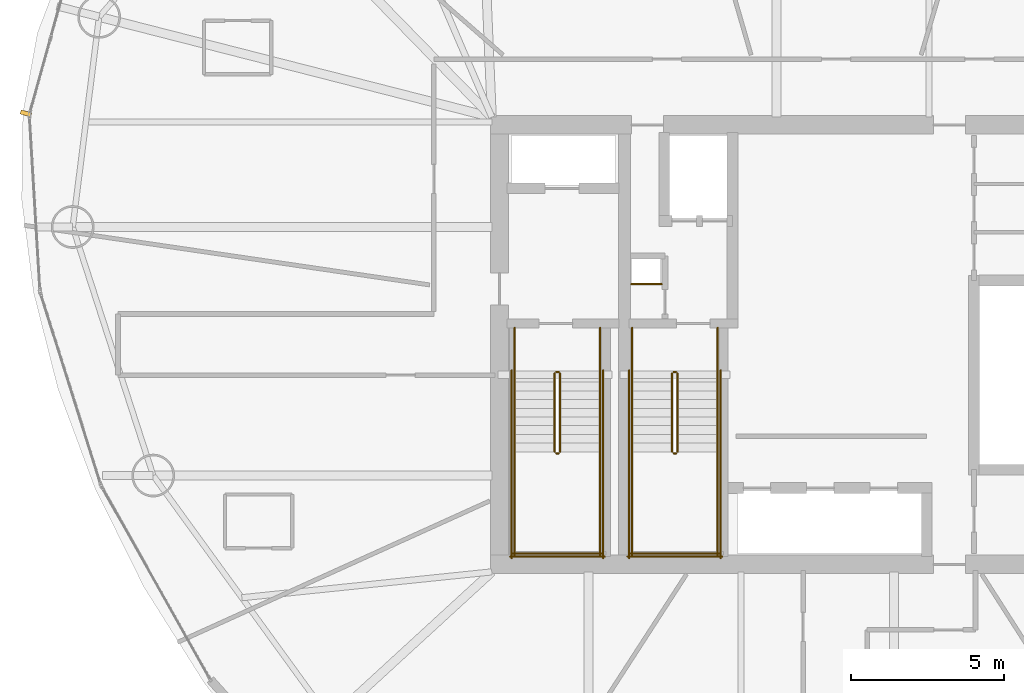
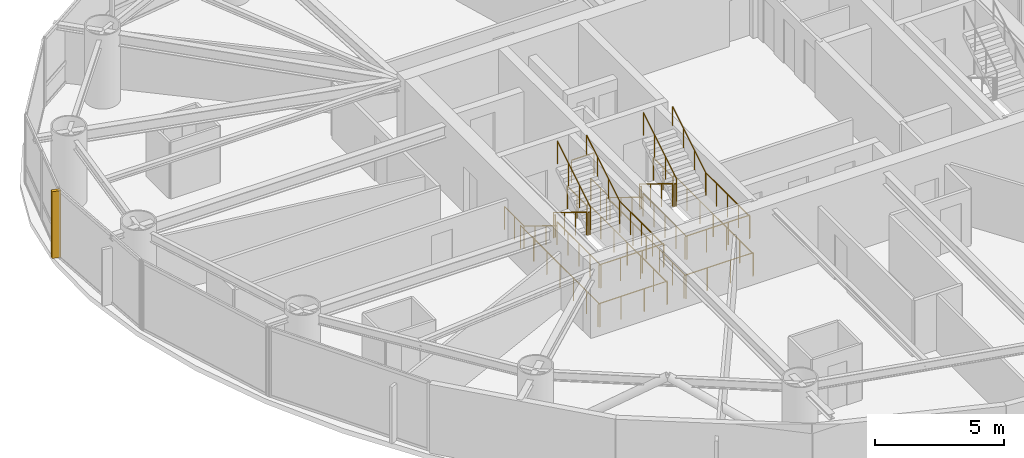
# One storey, part 20 of 22: 29 railings, 1 shading device.
"""IFC4 building model written with IfcOpenShell, lengths in metres."""

from ifc_helpers import new_model, si_unit, direction, frame, origin, origin_2d, place, context, subcontext, project, spatial, rectangle, circle, extrude, material, type_object, element, save


model = new_model("IFC4")

# Units and contexts
model_context = context("Model", 3, precision=1e-05, world=origin(), true_north=direction((0.0, 1.0)))
body_context = subcontext(model_context, "Body", "Model", "MODEL_VIEW")
ifc_project = project(units=[si_unit("LENGTHUNIT", "METRE"), si_unit("AREAUNIT", "SQUARE_METRE"), si_unit("VOLUMEUNIT", "CUBIC_METRE"), si_unit("PLANEANGLEUNIT", "RADIAN"), si_unit("MASSUNIT", "GRAM", prefix="KILO")], contexts=[model_context])

# Site, building, storey
site_placement = place(None, origin())
site = spatial("IfcSite", under=ifc_project, at=site_placement, CompositionType="ELEMENT")
building_placement = place(site_placement, origin())
building = spatial("IfcBuilding", under=site, at=building_placement, Name="Bramvorn Convention Spire", CompositionType="ELEMENT")
storey_placement = place(building_placement, frame((0.0, 0.0, 137.800048828125)))
storey = spatial("IfcBuildingStorey", under=building, at=storey_placement, Name="L34", CompositionType="ELEMENT", Elevation=137.800048828125)

# Railings
ifc_material_1 = material(Name="Painted Steel Balustrade & Guardrail", Category="steel")
railing_type_1 = type_object("IfcRailingType", Name="RL-STAIR-GUARD-1100", PredefinedType="GUARDRAIL", material=ifc_material_1)
railing_1_placement = place(storey_placement, frame((28.81005859375, 25.050048828125, 0.175048828125)))
element("IfcRailing", 1, at=railing_1_placement, inside=storey, type_object=railing_type_1, Name="L34 ST1 stair guard 1", PredefinedType="GUARDRAIL", context=body_context, shape_type="SweptSolid", body=[
    extrude(circle(Radius=0.02392578125, at=origin_2d()), frame((0.0, 0.0, 1.076171875), z_axis=(0.0, -0.852173129349, 0.523259933127), x_axis=(1.0, 0.0, 0.0)), (0.0, 0.0, 1.0), 3.009765625),
    extrude(circle(Radius=0.02099609375, at=origin_2d()), origin(), (0.0, 0.0, 1.0), 1.052001953125),
    extrude(circle(Radius=0.02099609375, at=origin_2d()), frame((0.0, -0.85498046875, 0.52490234375)), (0.0, 0.0, 1.0), 1.052001953125),
    extrude(circle(Radius=0.02099609375, at=origin_2d()), frame((0.0, -1.7099609375, 1.050048828125)), (0.0, 0.0, 1.0), 1.052001953125),
    extrude(circle(Radius=0.02099609375, at=origin_2d()), frame((0.0, -2.56494140625, 1.574951171875)), (0.0, 0.0, 1.0), 1.052001953125),
])
railing_2_placement = place(storey_placement, frame((28.860107421875, 22.43505859375, 1.75)))
element("IfcRailing", 2, at=railing_2_placement, inside=storey, type_object=railing_type_1, Name="L34 ST1 stair guard 2", PredefinedType="GUARDRAIL", context=body_context, shape_type="SweptSolid", body=[
    extrude(circle(Radius=0.02392578125, at=origin_2d()), frame((0.0, 0.0, 1.076171875), z_axis=(1.0, 0.0, 0.0), x_axis=(0.0, 1.0, 0.0)), (0.0, 0.0, 1.0), 0.079833984375),
    extrude(circle(Radius=0.02099609375, at=origin_2d()), origin(), (0.0, 0.0, 1.0), 1.052001953125),
    extrude(circle(Radius=0.02099609375, at=origin_2d()), frame((0.079833984375, 0.0, 0.0)), (0.0, 0.0, 1.0), 1.052001953125),
])
for number, where, name in (
    (3, (27.5, 22.485107421875, 1.75), "L34 ST1 stair guard 3"),
    (4, (30.300048828125, 22.485107421875, 1.75), "L34 ST1 stair guard 4"),
):
    element("IfcRailing", number, at=place(storey_placement, frame(where)), inside=storey, type_object=railing_type_1, Name=name, PredefinedType="GUARDRAIL", context=body_context, shape_type="SweptSolid", body=[
        extrude(circle(Radius=0.02392578125, at=origin_2d()), frame((0.0, 0.0, 1.076171875), z_axis=(0.0, -1.0, 0.0), x_axis=(1.0, 0.0, 0.0)), (0.0, 0.0, 1.0), 3.385009765625),
        extrude(circle(Radius=0.02099609375, at=origin_2d()), origin(), (0.0, 0.0, 1.0), 1.052001953125),
        extrude(circle(Radius=0.02099609375, at=origin_2d()), frame((0.0, -0.84619140625, 0.0)), (0.0, 0.0, 1.0), 1.052001953125),
        extrude(circle(Radius=0.02099609375, at=origin_2d()), frame((0.0, -1.6923828125, 0.0)), (0.0, 0.0, 1.0), 1.052001953125),
        extrude(circle(Radius=0.02099609375, at=origin_2d()), frame((0.0, -2.538818359375, 0.0)), (0.0, 0.0, 1.0), 1.052001953125),
        extrude(circle(Radius=0.02099609375, at=origin_2d()), frame((0.0, -3.385009765625, 0.0)), (0.0, 0.0, 1.0), 1.052001953125),
    ])
railing_3_placement = place(storey_placement, frame((27.449951171875, 19.14990234375, 1.75)))
element("IfcRailing", 5, at=railing_3_placement, inside=storey, type_object=railing_type_1, Name="L34 ST1 stair guard 5", PredefinedType="GUARDRAIL", context=body_context, shape_type="SweptSolid", body=[
    extrude(circle(Radius=0.02392578125, at=origin_2d()), frame((0.0, 0.0, 1.076171875), z_axis=(1.0, 0.0, 0.0), x_axis=(0.0, 1.0, 0.0)), (0.0, 0.0, 1.0), 2.900146484375),
    extrude(circle(Radius=0.02099609375, at=origin_2d()), origin(), (0.0, 0.0, 1.0), 1.052001953125),
    extrude(circle(Radius=0.02099609375, at=origin_2d()), frame((0.966796875, 0.0, 0.0)), (0.0, 0.0, 1.0), 1.052001953125),
    extrude(circle(Radius=0.02099609375, at=origin_2d()), frame((1.933349609375, 0.0, 0.0)), (0.0, 0.0, 1.0), 1.052001953125),
    extrude(circle(Radius=0.02099609375, at=origin_2d()), frame((2.900146484375, 0.0, 0.0)), (0.0, 0.0, 1.0), 1.052001953125),
])
railing_4_placement = place(storey_placement, frame((28.989990234375, 22.485107421875, 1.925048828125)))
element("IfcRailing", 6, at=railing_4_placement, inside=storey, type_object=railing_type_1, Name="L34 ST1 stair guard 6", PredefinedType="GUARDRAIL", context=body_context, shape_type="SweptSolid", body=[
    extrude(circle(Radius=0.02392578125, at=origin_2d()), frame((0.0, 0.0, 1.076171875), z_axis=(0.0, 0.852173129349, 0.523259933127), x_axis=(-1.0, 0.0, 0.0)), (0.0, 0.0, 1.0), 3.009765625),
    extrude(circle(Radius=0.02099609375, at=origin_2d()), origin(), (0.0, 0.0, 1.0), 1.052001953125),
    extrude(circle(Radius=0.02099609375, at=origin_2d()), frame((0.0, 0.85498046875, 0.52490234375)), (0.0, 0.0, 1.0), 1.052001953125),
    extrude(circle(Radius=0.02099609375, at=origin_2d()), frame((0.0, 1.7099609375, 1.050048828125)), (0.0, 0.0, 1.0), 1.052001953125),
    extrude(circle(Radius=0.02099609375, at=origin_2d()), frame((0.0, 2.56494140625, 1.574951171875)), (0.0, 0.0, 1.0), 1.052001953125),
])
railing_5_placement = place(storey_placement, frame((28.860107421875, 25.10009765625, 0.0)))
element("IfcRailing", 7, at=railing_5_placement, inside=storey, type_object=railing_type_1, Name="L34 ST1 stair guard 7", PredefinedType="GUARDRAIL", context=body_context, shape_type="SweptSolid", body=[
    extrude(circle(Radius=0.02392578125, at=origin_2d()), frame((0.0, 0.0, 1.076171875), z_axis=(1.0, 0.0, 0.0), x_axis=(0.0, 1.0, 0.0)), (0.0, 0.0, 1.0), 0.079833984375),
    extrude(circle(Radius=0.02099609375, at=origin_2d()), origin(), (0.0, 0.0, 1.0), 1.052001953125),
    extrude(circle(Radius=0.02099609375, at=origin_2d()), frame((0.079833984375, 0.0, 0.0)), (0.0, 0.0, 1.0), 1.052001953125),
])
for number, where, name in (
    (8, (27.5, 26.550048828125, 0.0), "L34 ST1 stair guard 8"),
    (9, (30.300048828125, 26.550048828125, 0.0), "L34 ST1 stair guard 9"),
):
    element("IfcRailing", number, at=place(storey_placement, frame(where)), inside=storey, type_object=railing_type_1, Name=name, PredefinedType="GUARDRAIL", context=body_context, shape_type="SweptSolid", body=[
        extrude(circle(Radius=0.02392578125, at=origin_2d()), frame((0.0, 0.0, 1.076171875), z_axis=(0.0, -1.0, 0.0), x_axis=(1.0, 0.0, 0.0)), (0.0, 0.0, 1.0), 1.5),
        extrude(circle(Radius=0.02099609375, at=origin_2d()), origin(), (0.0, 0.0, 1.0), 1.052001953125),
        extrude(circle(Radius=0.02099609375, at=origin_2d()), frame((0.0, -0.75, 0.0)), (0.0, 0.0, 1.0), 1.052001953125),
        extrude(circle(Radius=0.02099609375, at=origin_2d()), frame((0.0, -1.5, 0.0)), (0.0, 0.0, 1.0), 1.052001953125),
    ])
for number, where, name in (
    (10, (27.39990234375, 25.14990234375, 0.0), "L34 ST1 stair guard 10"),
    (11, (30.39990234375, 25.14990234375, 0.0), "L34 ST1 stair guard 11"),
):
    element("IfcRailing", number, at=place(storey_placement, frame(where)), inside=storey, type_object=railing_type_1, Name=name, PredefinedType="GUARDRAIL", context=body_context, shape_type="SweptSolid", body=[
        extrude(circle(Radius=0.02392578125, at=origin_2d()), frame((0.0, 0.0, 1.076171875), z_axis=(0.0, -1.0, 0.0), x_axis=(1.0, 0.0, 0.0)), (0.0, 0.0, 1.0), 6.14990234375),
        extrude(circle(Radius=0.02099609375, at=origin_2d()), origin(), (0.0, 0.0, 1.0), 1.052001953125),
        extrude(circle(Radius=0.02099609375, at=origin_2d()), frame((0.0, -1.02490234375, 0.0)), (0.0, 0.0, 1.0), 1.052001953125),
        extrude(circle(Radius=0.02099609375, at=origin_2d()), frame((0.0, -2.050048828125, 0.0)), (0.0, 0.0, 1.0), 1.052001953125),
        extrude(circle(Radius=0.02099609375, at=origin_2d()), frame((0.0, -3.074951171875, 0.0)), (0.0, 0.0, 1.0), 1.052001953125),
        extrude(circle(Radius=0.02099609375, at=origin_2d()), frame((0.0, -4.099853515625, 0.0)), (0.0, 0.0, 1.0), 1.052001953125),
        extrude(circle(Radius=0.02099609375, at=origin_2d()), frame((0.0, -5.125, 0.0)), (0.0, 0.0, 1.0), 1.052001953125),
        extrude(circle(Radius=0.02099609375, at=origin_2d()), frame((0.0, -6.14990234375, 0.0)), (0.0, 0.0, 1.0), 1.052001953125),
    ])
railing_6_placement = place(storey_placement, frame((27.35009765625, 19.050048828125, 0.0)))
element("IfcRailing", 12, at=railing_6_placement, inside=storey, type_object=railing_type_1, Name="L34 ST1 stair guard 12", PredefinedType="GUARDRAIL", context=body_context, shape_type="SweptSolid", body=[
    extrude(circle(Radius=0.02392578125, at=origin_2d()), frame((0.0, 0.0, 1.076171875), z_axis=(1.0, 0.0, 0.0), x_axis=(0.0, 1.0, 0.0)), (0.0, 0.0, 1.0), 3.099853515625),
    extrude(circle(Radius=0.02099609375, at=origin_2d()), origin(), (0.0, 0.0, 1.0), 1.052001953125),
    extrude(circle(Radius=0.02099609375, at=origin_2d()), frame((1.033203125, 0.0, 0.0)), (0.0, 0.0, 1.0), 1.052001953125),
    extrude(circle(Radius=0.02099609375, at=origin_2d()), frame((2.066650390625, 0.0, 0.0)), (0.0, 0.0, 1.0), 1.052001953125),
    extrude(circle(Radius=0.02099609375, at=origin_2d()), frame((3.099853515625, 0.0, 0.0)), (0.0, 0.0, 1.0), 1.052001953125),
])
railing_7_placement = place(storey_placement, frame((32.659912109375, 25.050048828125, 0.175048828125)))
element("IfcRailing", 13, at=railing_7_placement, inside=storey, type_object=railing_type_1, Name="L34 ST3 stair guard 1", PredefinedType="GUARDRAIL", context=body_context, shape_type="SweptSolid", body=[
    extrude(circle(Radius=0.02392578125, at=origin_2d()), frame((0.0, 0.0, 1.076171875), z_axis=(0.0, -0.852173129349, 0.523259933127), x_axis=(1.0, 0.0, 0.0)), (0.0, 0.0, 1.0), 3.009765625),
    extrude(circle(Radius=0.02099609375, at=origin_2d()), origin(), (0.0, 0.0, 1.0), 1.052001953125),
    extrude(circle(Radius=0.02099609375, at=origin_2d()), frame((0.0, -0.85498046875, 0.52490234375)), (0.0, 0.0, 1.0), 1.052001953125),
    extrude(circle(Radius=0.02099609375, at=origin_2d()), frame((0.0, -1.7099609375, 1.050048828125)), (0.0, 0.0, 1.0), 1.052001953125),
    extrude(circle(Radius=0.02099609375, at=origin_2d()), frame((0.0, -2.56494140625, 1.574951171875)), (0.0, 0.0, 1.0), 1.052001953125),
])
railing_8_placement = place(storey_placement, frame((32.7099609375, 22.43505859375, 1.75)))
element("IfcRailing", 14, at=railing_8_placement, inside=storey, type_object=railing_type_1, Name="L34 ST3 stair guard 2", PredefinedType="GUARDRAIL", context=body_context, shape_type="SweptSolid", body=[
    extrude(circle(Radius=0.02392578125, at=origin_2d()), frame((0.0, 0.0, 1.076171875), z_axis=(1.0, 0.0, 0.0), x_axis=(0.0, 1.0, 0.0)), (0.0, 0.0, 1.0), 0.080078125),
    extrude(circle(Radius=0.02099609375, at=origin_2d()), origin(), (0.0, 0.0, 1.0), 1.052001953125),
    extrude(circle(Radius=0.02099609375, at=origin_2d()), frame((0.080078125, 0.0, 0.0)), (0.0, 0.0, 1.0), 1.052001953125),
])
for number, where, name in (
    (15, (31.35009765625, 22.485107421875, 1.75), "L34 ST3 stair guard 3"),
    (16, (34.14990234375, 22.485107421875, 1.75), "L34 ST3 stair guard 4"),
):
    element("IfcRailing", number, at=place(storey_placement, frame(where)), inside=storey, type_object=railing_type_1, Name=name, PredefinedType="GUARDRAIL", context=body_context, shape_type="SweptSolid", body=[
        extrude(circle(Radius=0.02392578125, at=origin_2d()), frame((0.0, 0.0, 1.076171875), z_axis=(0.0, -1.0, 0.0), x_axis=(1.0, 0.0, 0.0)), (0.0, 0.0, 1.0), 3.385009765625),
        extrude(circle(Radius=0.02099609375, at=origin_2d()), origin(), (0.0, 0.0, 1.0), 1.052001953125),
        extrude(circle(Radius=0.02099609375, at=origin_2d()), frame((0.0, -0.84619140625, 0.0)), (0.0, 0.0, 1.0), 1.052001953125),
        extrude(circle(Radius=0.02099609375, at=origin_2d()), frame((0.0, -1.6923828125, 0.0)), (0.0, 0.0, 1.0), 1.052001953125),
        extrude(circle(Radius=0.02099609375, at=origin_2d()), frame((0.0, -2.538818359375, 0.0)), (0.0, 0.0, 1.0), 1.052001953125),
        extrude(circle(Radius=0.02099609375, at=origin_2d()), frame((0.0, -3.385009765625, 0.0)), (0.0, 0.0, 1.0), 1.052001953125),
    ])
railing_9_placement = place(storey_placement, frame((31.300048828125, 19.14990234375, 1.75)))
element("IfcRailing", 17, at=railing_9_placement, inside=storey, type_object=railing_type_1, Name="L34 ST3 stair guard 5", PredefinedType="GUARDRAIL", context=body_context, shape_type="SweptSolid", body=[
    extrude(circle(Radius=0.02392578125, at=origin_2d()), frame((0.0, 0.0, 1.076171875), z_axis=(1.0, 0.0, 0.0), x_axis=(0.0, 1.0, 0.0)), (0.0, 0.0, 1.0), 2.89990234375),
    extrude(circle(Radius=0.02099609375, at=origin_2d()), origin(), (0.0, 0.0, 1.0), 1.052001953125),
    extrude(circle(Radius=0.02099609375, at=origin_2d()), frame((0.966552734375, 0.0, 0.0)), (0.0, 0.0, 1.0), 1.052001953125),
    extrude(circle(Radius=0.02099609375, at=origin_2d()), frame((1.933349609375, 0.0, 0.0)), (0.0, 0.0, 1.0), 1.052001953125),
    extrude(circle(Radius=0.02099609375, at=origin_2d()), frame((2.89990234375, 0.0, 0.0)), (0.0, 0.0, 1.0), 1.052001953125),
])
railing_10_placement = place(storey_placement, frame((32.840087890625, 22.485107421875, 1.925048828125)))
element("IfcRailing", 18, at=railing_10_placement, inside=storey, type_object=railing_type_1, Name="L34 ST3 stair guard 6", PredefinedType="GUARDRAIL", context=body_context, shape_type="SweptSolid", body=[
    extrude(circle(Radius=0.02392578125, at=origin_2d()), frame((0.0, 0.0, 1.076171875), z_axis=(0.0, 0.852173129349, 0.523259933127), x_axis=(-1.0, 0.0, 0.0)), (0.0, 0.0, 1.0), 3.009765625),
    extrude(circle(Radius=0.02099609375, at=origin_2d()), origin(), (0.0, 0.0, 1.0), 1.052001953125),
    extrude(circle(Radius=0.02099609375, at=origin_2d()), frame((0.0, 0.85498046875, 0.52490234375)), (0.0, 0.0, 1.0), 1.052001953125),
    extrude(circle(Radius=0.02099609375, at=origin_2d()), frame((0.0, 1.7099609375, 1.050048828125)), (0.0, 0.0, 1.0), 1.052001953125),
    extrude(circle(Radius=0.02099609375, at=origin_2d()), frame((0.0, 2.56494140625, 1.574951171875)), (0.0, 0.0, 1.0), 1.052001953125),
])
railing_11_placement = place(storey_placement, frame((32.7099609375, 25.10009765625, 0.0)))
element("IfcRailing", 19, at=railing_11_placement, inside=storey, type_object=railing_type_1, Name="L34 ST3 stair guard 7", PredefinedType="GUARDRAIL", context=body_context, shape_type="SweptSolid", body=[
    extrude(circle(Radius=0.02392578125, at=origin_2d()), frame((0.0, 0.0, 1.076171875), z_axis=(1.0, 0.0, 0.0), x_axis=(0.0, 1.0, 0.0)), (0.0, 0.0, 1.0), 0.080078125),
    extrude(circle(Radius=0.02099609375, at=origin_2d()), origin(), (0.0, 0.0, 1.0), 1.052001953125),
    extrude(circle(Radius=0.02099609375, at=origin_2d()), frame((0.080078125, 0.0, 0.0)), (0.0, 0.0, 1.0), 1.052001953125),
])
for number, where, name in (
    (20, (31.35009765625, 26.550048828125, 0.0), "L34 ST3 stair guard 8"),
    (21, (34.14990234375, 26.550048828125, 0.0), "L34 ST3 stair guard 9"),
):
    element("IfcRailing", number, at=place(storey_placement, frame(where)), inside=storey, type_object=railing_type_1, Name=name, PredefinedType="GUARDRAIL", context=body_context, shape_type="SweptSolid", body=[
        extrude(circle(Radius=0.02392578125, at=origin_2d()), frame((0.0, 0.0, 1.076171875), z_axis=(0.0, -1.0, 0.0), x_axis=(1.0, 0.0, 0.0)), (0.0, 0.0, 1.0), 1.5),
        extrude(circle(Radius=0.02099609375, at=origin_2d()), origin(), (0.0, 0.0, 1.0), 1.052001953125),
        extrude(circle(Radius=0.02099609375, at=origin_2d()), frame((0.0, -0.75, 0.0)), (0.0, 0.0, 1.0), 1.052001953125),
        extrude(circle(Radius=0.02099609375, at=origin_2d()), frame((0.0, -1.5, 0.0)), (0.0, 0.0, 1.0), 1.052001953125),
    ])
for number, where, name in (
    (22, (31.25, 25.14990234375, 0.0), "L34 ST3 stair guard 10"),
    (23, (34.25, 25.14990234375, 0.0), "L34 ST3 stair guard 11"),
):
    element("IfcRailing", number, at=place(storey_placement, frame(where)), inside=storey, type_object=railing_type_1, Name=name, PredefinedType="GUARDRAIL", context=body_context, shape_type="SweptSolid", body=[
        extrude(circle(Radius=0.02392578125, at=origin_2d()), frame((0.0, 0.0, 1.076171875), z_axis=(0.0, -1.0, 0.0), x_axis=(1.0, 0.0, 0.0)), (0.0, 0.0, 1.0), 6.14990234375),
        extrude(circle(Radius=0.02099609375, at=origin_2d()), origin(), (0.0, 0.0, 1.0), 1.052001953125),
        extrude(circle(Radius=0.02099609375, at=origin_2d()), frame((0.0, -1.02490234375, 0.0)), (0.0, 0.0, 1.0), 1.052001953125),
        extrude(circle(Radius=0.02099609375, at=origin_2d()), frame((0.0, -2.050048828125, 0.0)), (0.0, 0.0, 1.0), 1.052001953125),
        extrude(circle(Radius=0.02099609375, at=origin_2d()), frame((0.0, -3.074951171875, 0.0)), (0.0, 0.0, 1.0), 1.052001953125),
        extrude(circle(Radius=0.02099609375, at=origin_2d()), frame((0.0, -4.099853515625, 0.0)), (0.0, 0.0, 1.0), 1.052001953125),
        extrude(circle(Radius=0.02099609375, at=origin_2d()), frame((0.0, -5.125, 0.0)), (0.0, 0.0, 1.0), 1.052001953125),
        extrude(circle(Radius=0.02099609375, at=origin_2d()), frame((0.0, -6.14990234375, 0.0)), (0.0, 0.0, 1.0), 1.052001953125),
    ])
railing_12_placement = place(storey_placement, frame((31.199951171875, 19.050048828125, 0.0)))
element("IfcRailing", 24, at=railing_12_placement, inside=storey, type_object=railing_type_1, Name="L34 ST3 stair guard 12", PredefinedType="GUARDRAIL", context=body_context, shape_type="SweptSolid", body=[
    extrude(circle(Radius=0.02392578125, at=origin_2d()), frame((0.0, 0.0, 1.076171875), z_axis=(1.0, 0.0, 0.0), x_axis=(0.0, 1.0, 0.0)), (0.0, 0.0, 1.0), 3.10009765625),
    extrude(circle(Radius=0.02099609375, at=origin_2d()), origin(), (0.0, 0.0, 1.0), 1.052001953125),
    extrude(circle(Radius=0.02099609375, at=origin_2d()), frame((1.033447265625, 0.0, 0.0)), (0.0, 0.0, 1.0), 1.052001953125),
    extrude(circle(Radius=0.02099609375, at=origin_2d()), frame((2.066650390625, 0.0, 0.0)), (0.0, 0.0, 1.0), 1.052001953125),
    extrude(circle(Radius=0.02099609375, at=origin_2d()), frame((3.10009765625, 0.0, 0.0)), (0.0, 0.0, 1.0), 1.052001953125),
])
railing_13_placement = place(storey_placement, frame((31.320068359375, 27.97998046875, 0.0)))
element("IfcRailing", 25, at=railing_13_placement, inside=storey, type_object=railing_type_1, Name="L34 Telecom riser shaft opening safety guardrail", PredefinedType="GUARDRAIL", context=body_context, shape_type="SweptSolid", body=[
    extrude(circle(Radius=0.02392578125, at=origin_2d()), frame((0.0, 0.0, 1.076171875), z_axis=(1.0, 0.0, 0.0), x_axis=(0.0, 1.0, 0.0)), (0.0, 0.0, 1.0), 1.0),
    extrude(circle(Radius=0.02099609375, at=origin_2d()), origin(), (0.0, 0.0, 1.0), 1.052001953125),
    extrude(circle(Radius=0.02099609375, at=origin_2d()), frame((1.0, 0.0, 0.0)), (0.0, 0.0, 1.0), 1.052001953125),
])
ifc_material_2 = material(Name="Brushed Bronze Tubular Handrail", Category="aluminium")
railing_type_2 = type_object("IfcRailingType", Name="RL-STAIR-HR-920", PredefinedType="HANDRAIL", material=ifc_material_2)
railing_14_placement = place(storey_placement, frame((27.5, 25.050048828125, 0.175048828125)))
element("IfcRailing", 26, at=railing_14_placement, inside=storey, type_object=railing_type_2, Name="L34 ST1 stair handrail 1", PredefinedType="HANDRAIL", context=body_context, shape_type="SweptSolid", body=[
    extrude(circle(Radius=0.02392578125, at=origin_2d()), frame((0.0, 0.0, 0.89599609375), z_axis=(0.0, -0.852173129349, 0.523259933127), x_axis=(1.0, 0.0, 0.0)), (0.0, 0.0, 1.0), 3.009765625),
    extrude(circle(Radius=0.02099609375, at=origin_2d()), origin(), (0.0, 0.0, 1.0), 0.871826171875),
    extrude(circle(Radius=0.02099609375, at=origin_2d()), frame((0.0, -0.85498046875, 0.52490234375)), (0.0, 0.0, 1.0), 0.871826171875),
    extrude(circle(Radius=0.02099609375, at=origin_2d()), frame((0.0, -1.7099609375, 1.050048828125)), (0.0, 0.0, 1.0), 0.871826171875),
    extrude(circle(Radius=0.02099609375, at=origin_2d()), frame((0.0, -2.56494140625, 1.574951171875)), (0.0, 0.0, 1.0), 0.871826171875),
])
railing_15_placement = place(storey_placement, frame((30.300048828125, 22.485107421875, 1.925048828125)))
element("IfcRailing", 27, at=railing_15_placement, inside=storey, type_object=railing_type_2, Name="L34 ST1 stair handrail 2", PredefinedType="HANDRAIL", context=body_context, shape_type="SweptSolid", body=[
    extrude(circle(Radius=0.02392578125, at=origin_2d()), frame((0.0, 0.0, 0.89599609375), z_axis=(0.0, 0.852173129349, 0.523259933127), x_axis=(-1.0, 0.0, 0.0)), (0.0, 0.0, 1.0), 3.009765625),
    extrude(circle(Radius=0.02099609375, at=origin_2d()), origin(), (0.0, 0.0, 1.0), 0.871826171875),
    extrude(circle(Radius=0.02099609375, at=origin_2d()), frame((0.0, 0.85498046875, 0.52490234375)), (0.0, 0.0, 1.0), 0.871826171875),
    extrude(circle(Radius=0.02099609375, at=origin_2d()), frame((0.0, 1.7099609375, 1.050048828125)), (0.0, 0.0, 1.0), 0.871826171875),
    extrude(circle(Radius=0.02099609375, at=origin_2d()), frame((0.0, 2.56494140625, 1.574951171875)), (0.0, 0.0, 1.0), 0.871826171875),
])
railing_16_placement = place(storey_placement, frame((31.35009765625, 25.050048828125, 0.175048828125)))
element("IfcRailing", 28, at=railing_16_placement, inside=storey, type_object=railing_type_2, Name="L34 ST3 stair handrail 1", PredefinedType="HANDRAIL", context=body_context, shape_type="SweptSolid", body=[
    extrude(circle(Radius=0.02392578125, at=origin_2d()), frame((0.0, 0.0, 0.89599609375), z_axis=(0.0, -0.852173129349, 0.523259933127), x_axis=(1.0, 0.0, 0.0)), (0.0, 0.0, 1.0), 3.009765625),
    extrude(circle(Radius=0.02099609375, at=origin_2d()), origin(), (0.0, 0.0, 1.0), 0.871826171875),
    extrude(circle(Radius=0.02099609375, at=origin_2d()), frame((0.0, -0.85498046875, 0.52490234375)), (0.0, 0.0, 1.0), 0.871826171875),
    extrude(circle(Radius=0.02099609375, at=origin_2d()), frame((0.0, -1.7099609375, 1.050048828125)), (0.0, 0.0, 1.0), 0.871826171875),
    extrude(circle(Radius=0.02099609375, at=origin_2d()), frame((0.0, -2.56494140625, 1.574951171875)), (0.0, 0.0, 1.0), 0.871826171875),
])
railing_17_placement = place(storey_placement, frame((34.14990234375, 22.485107421875, 1.925048828125)))
element("IfcRailing", 29, at=railing_17_placement, inside=storey, type_object=railing_type_2, Name="L34 ST3 stair handrail 2", PredefinedType="HANDRAIL", context=body_context, shape_type="SweptSolid", body=[
    extrude(circle(Radius=0.02392578125, at=origin_2d()), frame((0.0, 0.0, 0.89599609375), z_axis=(0.0, 0.852173129349, 0.523259933127), x_axis=(-1.0, 0.0, 0.0)), (0.0, 0.0, 1.0), 3.009765625),
    extrude(circle(Radius=0.02099609375, at=origin_2d()), origin(), (0.0, 0.0, 1.0), 0.871826171875),
    extrude(circle(Radius=0.02099609375, at=origin_2d()), frame((0.0, 0.85498046875, 0.52490234375)), (0.0, 0.0, 1.0), 0.871826171875),
    extrude(circle(Radius=0.02099609375, at=origin_2d()), frame((0.0, 1.7099609375, 1.050048828125)), (0.0, 0.0, 1.0), 0.871826171875),
    extrude(circle(Radius=0.02099609375, at=origin_2d()), frame((0.0, 2.56494140625, 1.574951171875)), (0.0, 0.0, 1.0), 0.871826171875),
])

# Shading device
ifc_material_3 = material(Name="Extruded Champagne Bronze Aluminium Lancet Fin", Category="aluminium")
shading_device_type = type_object("IfcShadingDeviceType", Name="SHD-FIN-LANCET", PredefinedType="SHUTTER", material=ifc_material_3)
shading_device_placement = place(storey_placement, frame((11.4814453125, 33.57568359375, 0.0498046875), z_axis=(0.0, 0.0, 1.0), x_axis=(-0.961533978981, 0.274686015779, 0.0)))
element("IfcShadingDevice", 30, at=shading_device_placement, inside=storey, type_object=shading_device_type, Name="L34 Gothic bronze wind-corner fin 13", PredefinedType="SHUTTER", context=body_context, shape_type="SweptSolid", body=[
    extrude(rectangle(XDim=0.360107421875, YDim=0.139892578125, at=origin_2d()), origin(), (0.0, 0.0, 1.0), 3.159912109375),
])

save(model, "model.ifc")
